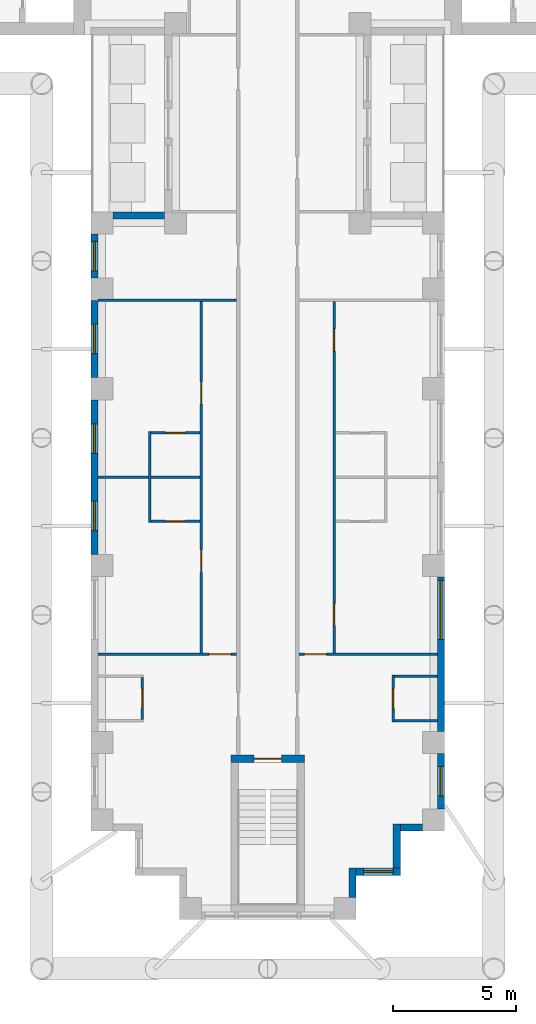
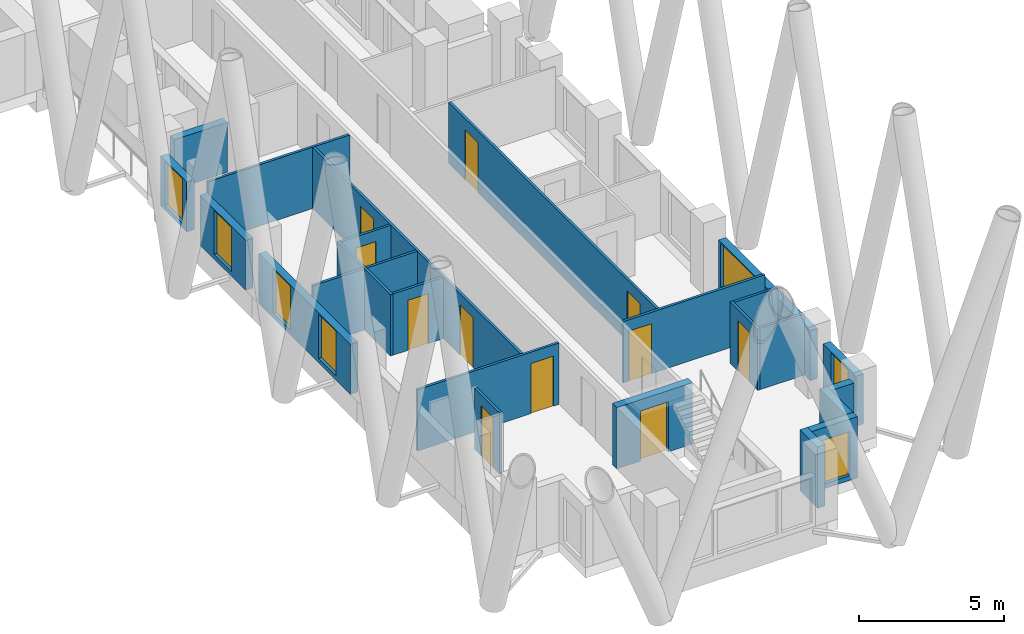
# One storey, part 4 of 16: 24 walls, 11 doors, 7 windows, 18 openings.
"""IFC4 building model written with IfcOpenShell, lengths in metres."""

from ifc_helpers import new_model, si_unit, direction, frame, frame_2d, origin, place, context, subcontext, project, spatial, rectangle, extrude, material, layer, layer_set, type_object, element, fill, save


model = new_model("IFC4")

# Units and contexts
model_context = context("Model", 3, precision=1e-05, world=origin(), true_north=direction((0.0, 1.0)))
body_context = subcontext(model_context, "Body", "Model", "MODEL_VIEW")
ifc_project = project(units=[si_unit("LENGTHUNIT", "METRE"), si_unit("AREAUNIT", "SQUARE_METRE"), si_unit("VOLUMEUNIT", "CUBIC_METRE"), si_unit("PLANEANGLEUNIT", "RADIAN"), si_unit("MASSUNIT", "GRAM", prefix="KILO")], contexts=[model_context])

# Site, building, storey
site_placement = place(None, origin())
site = spatial("IfcSite", under=ifc_project, at=site_placement, CompositionType="ELEMENT")
building_placement = place(site_placement, origin())
building = spatial("IfcBuilding", under=site, at=building_placement, Name="Fustian Cross Tower", CompositionType="ELEMENT")
storey_placement = place(building_placement, frame((0.0, 0.0, 44.699951171875)))
storey = spatial("IfcBuildingStorey", under=building, at=storey_placement, Name="L13", CompositionType="ELEMENT", Elevation=44.699951171875)

# Wall, opening, door
ifc_material_1 = material(Name="Plasterboard on steel stud", Category="steel")
ifc_layer_1 = layer(ifc_material_1, 0.10009765625)
ifc_layer_set_1 = layer_set([ifc_layer_1], Name="Plasterboard on steel stud")
wall_type_1 = type_object("IfcWallType", Name="PARTITION 100 STUD", PredefinedType="PARTITIONING", material=ifc_layer_set_1)
wall_1_placement = place(storey_placement, frame((-6.89990234375, -32.39990234375, 0.0), z_axis=(0.0, 0.0, 1.0), x_axis=(1.0, 0.0, 0.0)))
wall_1 = element("IfcWall", 1, at=wall_1_placement, inside=storey, type_object=wall_type_1, Name="Partition 20", PredefinedType="PARTITIONING", context=body_context, shape_type="SweptSolid", body=[
    extrude(rectangle(XDim=5.625, YDim=0.10009765625, at=frame_2d((2.8125, 0.0))), origin(), (0.0, 0.0, 1.0), 2.574951171875),
])
opening_1_placement = place(wall_1_placement, frame((4.5, 0.0, 0.0)))
opening_1 = element("IfcOpeningElement", 2, at=opening_1_placement, cuts=wall_1, Name="Opening D08063", PredefinedType="OPENING", context=body_context, shape_type="SweptSolid", body=[
    extrude(rectangle(XDim=0.89990234375, YDim=2.10009765625, at=frame_2d((0.449951171875, 1.050048828125))), frame((0.0, 0.06005859375, 0.0), z_axis=(0.0, -1.0, 0.0), x_axis=(1.0, 0.0, 0.0)), (0.0, 0.0, 1.0), 0.1201171875),
])
ifc_material_2 = material(Name="Painted timber", Category="wood")
door_type_1 = type_object("IfcDoorType", Name="SWING DOOR 900", OperationType="SINGLE_SWING_LEFT", PredefinedType="DOOR", material=ifc_material_2)
door_1_placement = place(opening_1_placement, origin())
door_1 = element("IfcDoor", 3, at=door_1_placement, inside=storey, type_object=door_type_1, Name="Door D08063", OperationType="SINGLE_SWING_LEFT", OverallHeight=2.10009765625, OverallWidth=0.89990234375, PredefinedType="DOOR", context=body_context, shape_type="SweptSolid", body=[
    extrude(rectangle(XDim=0.89990234375, YDim=2.10009765625, at=frame_2d((0.449951171875, 1.050048828125))), frame((0.0, 0.02490234375, 0.0), z_axis=(0.0, -1.0, 0.0), x_axis=(1.0, 0.0, 0.0)), (0.0, 0.0, 1.0), 0.050048828125),
])
fill(opening_1, door_1)

# Walls
wall_2_placement = place(storey_placement, frame((-6.89990234375, -25.199951171875, 0.0), z_axis=(0.0, 0.0, 1.0), x_axis=(1.0, 0.0, 0.0)))
element("IfcWall", 4, at=wall_2_placement, inside=storey, type_object=wall_type_1, Name="Partition 21", PredefinedType="PARTITIONING", context=body_context, shape_type="SweptSolid", body=[
    extrude(rectangle(XDim=4.14990234375, YDim=0.10009765625, at=frame_2d((2.074951171875, 0.0))), origin(), (0.0, 0.0, 1.0), 2.574951171875),
])
wall_3_placement = place(storey_placement, frame((-6.89990234375, -18.0, 0.0), z_axis=(0.0, 0.0, 1.0), x_axis=(1.0, 0.0, 0.0)))
element("IfcWall", 5, at=wall_3_placement, inside=storey, type_object=wall_type_1, Name="Partition 22", PredefinedType="PARTITIONING", context=body_context, shape_type="SweptSolid", body=[
    extrude(rectangle(XDim=5.625, YDim=0.10009765625, at=frame_2d((2.8125, 0.0))), origin(), (0.0, 0.0, 1.0), 2.574951171875),
])

# Wall, opening, door
wall_4_placement = place(storey_placement, frame((-5.10009765625, -35.050048828125, 0.0), z_axis=(0.0, 0.0, 1.0), x_axis=(0.0, 1.0, 0.0)))
wall_4 = element("IfcWall", 6, at=wall_4_placement, inside=storey, type_object=wall_type_1, Name="Partition 26", PredefinedType="PARTITIONING", context=body_context, shape_type="SweptSolid", body=[
    extrude(rectangle(XDim=1.699951171875, YDim=0.10009765625, at=frame_2d((0.85009765625, 0.0))), origin(), (0.0, 0.0, 1.0), 2.574951171875),
])
opening_2_placement = place(wall_4_placement, frame((0.449951171875, 0.0, 0.0)))
opening_2 = element("IfcOpeningElement", 7, at=opening_2_placement, cuts=wall_4, Name="Opening D08059", PredefinedType="OPENING", context=body_context, shape_type="SweptSolid", body=[
    extrude(rectangle(XDim=0.800048828125, YDim=2.10009765625, at=frame_2d((0.39990234375, 1.050048828125))), frame((0.0, 0.06005859375, 0.0), z_axis=(0.0, -1.0, 0.0), x_axis=(1.0, 0.0, 0.0)), (0.0, 0.0, 1.0), 0.1201171875),
])
ifc_material_3 = material(Name="Painted timber", Category="wood")
door_type_2 = type_object("IfcDoorType", Name="SWING DOOR 800", OperationType="SINGLE_SWING_LEFT", PredefinedType="DOOR", material=ifc_material_3)
door_2_placement = place(opening_2_placement, origin())
door_2 = element("IfcDoor", 8, at=door_2_placement, inside=storey, type_object=door_type_2, Name="Door D08059", OperationType="SINGLE_SWING_RIGHT", OverallHeight=2.10009765625, OverallWidth=0.800048828125, PredefinedType="DOOR", context=body_context, shape_type="SweptSolid", body=[
    extrude(rectangle(XDim=0.800048828125, YDim=2.10009765625, at=frame_2d((0.39990234375, 1.050048828125))), frame((0.0, 0.02490234375, 0.0), z_axis=(0.0, -1.0, 0.0), x_axis=(1.0, 0.0, 0.0)), (0.0, 0.0, 1.0), 0.050048828125),
])
fill(opening_2, door_2)

# Wall
wall_5_placement = place(storey_placement, frame((-4.800048828125, -27.050048828125, 0.0), z_axis=(0.0, 0.0, 1.0), x_axis=(0.0, 1.0, 0.0)))
element("IfcWall", 9, at=wall_5_placement, inside=storey, type_object=wall_type_1, Name="Partition 27", PredefinedType="PARTITIONING", context=body_context, shape_type="SweptSolid", body=[
    extrude(rectangle(XDim=3.699951171875, YDim=0.10009765625, at=frame_2d((1.85009765625, 0.0))), origin(), (0.0, 0.0, 1.0), 2.574951171875),
])

# Wall, opening, door
wall_6_placement = place(storey_placement, frame((-4.75, -27.0, 0.0), z_axis=(0.0, 0.0, 1.0), x_axis=(1.0, 0.0, 0.0)))
wall_6 = element("IfcWall", 10, at=wall_6_placement, inside=storey, type_object=wall_type_1, Name="Partition 28", PredefinedType="PARTITIONING", context=body_context, shape_type="SweptSolid", body=[
    extrude(rectangle(XDim=2.0, YDim=0.10009765625, at=frame_2d((1.0, 0.0))), origin(), (0.0, 0.0, 1.0), 2.574951171875),
])
opening_3_placement = place(wall_6_placement, frame((0.60009765625, 0.0, 0.0)))
opening_3 = element("IfcOpeningElement", 11, at=opening_3_placement, cuts=wall_6, Name="Opening D08065", PredefinedType="OPENING", context=body_context, shape_type="SweptSolid", body=[
    extrude(rectangle(XDim=0.800048828125, YDim=2.10009765625, at=frame_2d((0.39990234375, 1.050048828125))), frame((0.0, 0.06005859375, 0.0), z_axis=(0.0, -1.0, 0.0), x_axis=(1.0, 0.0, 0.0)), (0.0, 0.0, 1.0), 0.1201171875),
])
door_3_placement = place(opening_3_placement, origin())
door_3 = element("IfcDoor", 12, at=door_3_placement, inside=storey, type_object=door_type_2, Name="Door D08065", OperationType="SINGLE_SWING_LEFT", OverallHeight=2.10009765625, OverallWidth=0.800048828125, PredefinedType="DOOR", context=body_context, shape_type="SweptSolid", body=[
    extrude(rectangle(XDim=0.800048828125, YDim=2.10009765625, at=frame_2d((0.39990234375, 1.050048828125))), frame((0.0, 0.02490234375, 0.0), z_axis=(0.0, -1.0, 0.0), x_axis=(1.0, 0.0, 0.0)), (0.0, 0.0, 1.0), 0.050048828125),
])
fill(opening_3, door_3)

wall_7_placement = place(storey_placement, frame((-4.75, -23.39990234375, 0.0), z_axis=(0.0, 0.0, 1.0), x_axis=(1.0, 0.0, 0.0)))
wall_7 = element("IfcWall", 13, at=wall_7_placement, inside=storey, type_object=wall_type_1, Name="Partition 29", PredefinedType="PARTITIONING", context=body_context, shape_type="SweptSolid", body=[
    extrude(rectangle(XDim=2.0, YDim=0.10009765625, at=frame_2d((1.0, 0.0))), origin(), (0.0, 0.0, 1.0), 2.574951171875),
])
opening_4_placement = place(wall_7_placement, frame((0.60009765625, 0.0, 0.0)))
opening_4 = element("IfcOpeningElement", 14, at=opening_4_placement, cuts=wall_7, Name="Opening D08064", PredefinedType="OPENING", context=body_context, shape_type="SweptSolid", body=[
    extrude(rectangle(XDim=0.800048828125, YDim=2.10009765625, at=frame_2d((0.39990234375, 1.050048828125))), frame((0.0, 0.06005859375, 0.0), z_axis=(0.0, -1.0, 0.0), x_axis=(1.0, 0.0, 0.0)), (0.0, 0.0, 1.0), 0.1201171875),
])
door_4_placement = place(opening_4_placement, frame((0.800048828125, 0.0, 0.0), z_axis=(0.0, 0.0, 1.0), x_axis=(-1.0, 0.0, 0.0)))
door_4 = element("IfcDoor", 15, at=door_4_placement, inside=storey, type_object=door_type_2, Name="Door D08064", OperationType="SINGLE_SWING_RIGHT", OverallHeight=2.10009765625, OverallWidth=0.800048828125, PredefinedType="DOOR", context=body_context, shape_type="SweptSolid", body=[
    extrude(rectangle(XDim=0.800048828125, YDim=2.10009765625, at=frame_2d((0.39990234375, 1.050048828125))), frame((0.0, 0.02490234375, 0.0), z_axis=(0.0, -1.0, 0.0), x_axis=(1.0, 0.0, 0.0)), (0.0, 0.0, 1.0), 0.050048828125),
])
fill(opening_4, door_4)

# Wall, openings, doors
wall_8_placement = place(storey_placement, frame((-2.699951171875, -32.35009765625, 0.0), z_axis=(0.0, 0.0, 1.0), x_axis=(0.0, 1.0, 0.0)))
wall_8 = element("IfcWall", 16, at=wall_8_placement, inside=storey, type_object=wall_type_1, Name="Partition 41", PredefinedType="PARTITIONING", context=body_context, shape_type="SweptSolid", body=[
    extrude(rectangle(XDim=14.300048828125, YDim=0.10009765625, at=frame_2d((7.14990234375, 0.0))), origin(), (0.0, 0.0, 1.0), 2.574951171875),
])
opening_5_placement = place(wall_8_placement, frame((3.280029296875, 0.0, 0.0)))
opening_5 = element("IfcOpeningElement", 17, at=opening_5_placement, cuts=wall_8, Name="Opening D08061", PredefinedType="OPENING", context=body_context, shape_type="SweptSolid", body=[
    extrude(rectangle(XDim=0.89990234375, YDim=2.10009765625, at=frame_2d((0.449951171875, 1.050048828125))), frame((0.0, 0.06005859375, 0.0), z_axis=(0.0, -1.0, 0.0), x_axis=(1.0, 0.0, 0.0)), (0.0, 0.0, 1.0), 0.1201171875),
])
opening_6_placement = place(wall_8_placement, frame((10.119873046875, 0.0, 0.0)))
opening_6 = element("IfcOpeningElement", 18, at=opening_6_placement, cuts=wall_8, Name="Opening D08062", PredefinedType="OPENING", context=body_context, shape_type="SweptSolid", body=[
    extrude(rectangle(XDim=0.89990234375, YDim=2.10009765625, at=frame_2d((0.449951171875, 1.050048828125))), frame((0.0, 0.06005859375, 0.0), z_axis=(0.0, -1.0, 0.0), x_axis=(1.0, 0.0, 0.0)), (0.0, 0.0, 1.0), 0.1201171875),
])
door_5_placement = place(opening_5_placement, frame((0.89990234375, 0.0, 0.0), z_axis=(0.0, 0.0, 1.0), x_axis=(-1.0, 0.0, 0.0)))
door_5 = element("IfcDoor", 19, at=door_5_placement, inside=storey, type_object=door_type_1, Name="Door D08061", OperationType="SINGLE_SWING_RIGHT", OverallHeight=2.10009765625, OverallWidth=0.89990234375, PredefinedType="DOOR", context=body_context, shape_type="SweptSolid", body=[
    extrude(rectangle(XDim=0.89990234375, YDim=2.10009765625, at=frame_2d((0.449951171875, 1.050048828125))), frame((0.0, 0.02490234375, 0.0), z_axis=(0.0, -1.0, 0.0), x_axis=(1.0, 0.0, 0.0)), (0.0, 0.0, 1.0), 0.050048828125),
])
fill(opening_5, door_5)
door_6_placement = place(opening_6_placement, frame((0.89990234375, 0.0, 0.0), z_axis=(0.0, 0.0, 1.0), x_axis=(-1.0, 0.0, 0.0)))
door_6 = element("IfcDoor", 20, at=door_6_placement, inside=storey, type_object=door_type_1, Name="Door D08062", OperationType="SINGLE_SWING_LEFT", OverallHeight=2.10009765625, OverallWidth=0.89990234375, PredefinedType="DOOR", context=body_context, shape_type="SweptSolid", body=[
    extrude(rectangle(XDim=0.89990234375, YDim=2.10009765625, at=frame_2d((0.449951171875, 1.050048828125))), frame((0.0, 0.02490234375, 0.0), z_axis=(0.0, -1.0, 0.0), x_axis=(1.0, 0.0, 0.0)), (0.0, 0.0, 1.0), 0.050048828125),
])
fill(opening_6, door_6)

# Wall, opening, door
wall_9_placement = place(storey_placement, frame((1.27490234375, -32.39990234375, 0.0), z_axis=(0.0, 0.0, 1.0), x_axis=(1.0, 0.0, 0.0)))
wall_9 = element("IfcWall", 21, at=wall_9_placement, inside=storey, type_object=wall_type_1, Name="Partition 45", PredefinedType="PARTITIONING", context=body_context, shape_type="SweptSolid", body=[
    extrude(rectangle(XDim=5.625, YDim=0.10009765625, at=frame_2d((2.8125, 0.0))), origin(), (0.0, 0.0, 1.0), 2.574951171875),
])
opening_7_placement = place(wall_9_placement, frame((0.22509765625, 0.0, 0.0)))
opening_7 = element("IfcOpeningElement", 22, at=opening_7_placement, cuts=wall_9, Name="Opening D08052", PredefinedType="OPENING", context=body_context, shape_type="SweptSolid", body=[
    extrude(rectangle(XDim=0.89990234375, YDim=2.10009765625, at=frame_2d((0.449951171875, 1.050048828125))), frame((0.0, 0.06005859375, 0.0), z_axis=(0.0, -1.0, 0.0), x_axis=(1.0, 0.0, 0.0)), (0.0, 0.0, 1.0), 0.1201171875),
])
door_7_placement = place(opening_7_placement, origin())
door_7 = element("IfcDoor", 23, at=door_7_placement, inside=storey, type_object=door_type_1, Name="Door D08052", OperationType="SINGLE_SWING_LEFT", OverallHeight=2.10009765625, OverallWidth=0.89990234375, PredefinedType="DOOR", context=body_context, shape_type="SweptSolid", body=[
    extrude(rectangle(XDim=0.89990234375, YDim=2.10009765625, at=frame_2d((0.449951171875, 1.050048828125))), frame((0.0, 0.02490234375, 0.0), z_axis=(0.0, -1.0, 0.0), x_axis=(1.0, 0.0, 0.0)), (0.0, 0.0, 1.0), 0.050048828125),
])
fill(opening_7, door_7)

# Wall, openings, doors
wall_10_placement = place(storey_placement, frame((2.699951171875, -32.35009765625, 0.0), z_axis=(0.0, 0.0, 1.0), x_axis=(0.0, 1.0, 0.0)))
wall_10 = element("IfcWall", 24, at=wall_10_placement, inside=storey, type_object=wall_type_1, Name="Partition 59", PredefinedType="PARTITIONING", context=body_context, shape_type="SweptSolid", body=[
    extrude(rectangle(XDim=14.300048828125, YDim=0.10009765625, at=frame_2d((7.14990234375, 0.0))), origin(), (0.0, 0.0, 1.0), 2.574951171875),
])
opening_8_placement = place(wall_10_placement, frame((1.1201171875, 0.0, 0.0)))
opening_8 = element("IfcOpeningElement", 25, at=opening_8_placement, cuts=wall_10, Name="Opening D08053", PredefinedType="OPENING", context=body_context, shape_type="SweptSolid", body=[
    extrude(rectangle(XDim=0.89990234375, YDim=2.10009765625, at=frame_2d((0.449951171875, 1.050048828125))), frame((0.0, 0.06005859375, 0.0), z_axis=(0.0, -1.0, 0.0), x_axis=(1.0, 0.0, 0.0)), (0.0, 0.0, 1.0), 0.1201171875),
])
opening_9_placement = place(wall_10_placement, frame((12.280029296875, 0.0, 0.0)))
opening_9 = element("IfcOpeningElement", 26, at=opening_9_placement, cuts=wall_10, Name="Opening D08054", PredefinedType="OPENING", context=body_context, shape_type="SweptSolid", body=[
    extrude(rectangle(XDim=0.89990234375, YDim=2.10009765625, at=frame_2d((0.449951171875, 1.050048828125))), frame((0.0, 0.06005859375, 0.0), z_axis=(0.0, -1.0, 0.0), x_axis=(1.0, 0.0, 0.0)), (0.0, 0.0, 1.0), 0.1201171875),
])
door_8_placement = place(opening_8_placement, origin())
door_8 = element("IfcDoor", 27, at=door_8_placement, inside=storey, type_object=door_type_1, Name="Door D08053", OperationType="SINGLE_SWING_LEFT", OverallHeight=2.10009765625, OverallWidth=0.89990234375, PredefinedType="DOOR", context=body_context, shape_type="SweptSolid", body=[
    extrude(rectangle(XDim=0.89990234375, YDim=2.10009765625, at=frame_2d((0.449951171875, 1.050048828125))), frame((0.0, 0.02490234375, 0.0), z_axis=(0.0, -1.0, 0.0), x_axis=(1.0, 0.0, 0.0)), (0.0, 0.0, 1.0), 0.050048828125),
])
fill(opening_8, door_8)
door_9_placement = place(opening_9_placement, origin())
door_9 = element("IfcDoor", 28, at=door_9_placement, inside=storey, type_object=door_type_1, Name="Door D08054", OperationType="SINGLE_SWING_RIGHT", OverallHeight=2.10009765625, OverallWidth=0.89990234375, PredefinedType="DOOR", context=body_context, shape_type="SweptSolid", body=[
    extrude(rectangle(XDim=0.89990234375, YDim=2.10009765625, at=frame_2d((0.449951171875, 1.050048828125))), frame((0.0, 0.02490234375, 0.0), z_axis=(0.0, -1.0, 0.0), x_axis=(1.0, 0.0, 0.0)), (0.0, 0.0, 1.0), 0.050048828125),
])
fill(opening_9, door_9)

# Wall, opening, door
wall_11_placement = place(storey_placement, frame((5.10009765625, -35.14990234375, 0.0), z_axis=(0.0, 0.0, 1.0), x_axis=(0.0, 1.0, 0.0)))
wall_11 = element("IfcWall", 29, at=wall_11_placement, inside=storey, type_object=wall_type_1, Name="Partition 70", PredefinedType="PARTITIONING", context=body_context, shape_type="SweptSolid", body=[
    extrude(rectangle(XDim=1.89990234375, YDim=0.10009765625, at=frame_2d((0.949951171875, 0.0))), origin(), (0.0, 0.0, 1.0), 2.574951171875),
])
opening_10_placement = place(wall_11_placement, frame((0.550048828125, 0.0, 0.0)))
opening_10 = element("IfcOpeningElement", 30, at=opening_10_placement, cuts=wall_11, Name="Opening D08050", PredefinedType="OPENING", context=body_context, shape_type="SweptSolid", body=[
    extrude(rectangle(XDim=0.800048828125, YDim=2.10009765625, at=frame_2d((0.39990234375, 1.050048828125))), frame((0.0, 0.06005859375, 0.0), z_axis=(0.0, -1.0, 0.0), x_axis=(1.0, 0.0, 0.0)), (0.0, 0.0, 1.0), 0.1201171875),
])
door_10_placement = place(opening_10_placement, frame((0.800048828125, 0.0, 0.0), z_axis=(0.0, 0.0, 1.0), x_axis=(-1.0, 0.0, 0.0)))
door_10 = element("IfcDoor", 31, at=door_10_placement, inside=storey, type_object=door_type_2, Name="Door D08050", OperationType="SINGLE_SWING_LEFT", OverallHeight=2.10009765625, OverallWidth=0.800048828125, PredefinedType="DOOR", context=body_context, shape_type="SweptSolid", body=[
    extrude(rectangle(XDim=0.800048828125, YDim=2.10009765625, at=frame_2d((0.39990234375, 1.050048828125))), frame((0.0, 0.02490234375, 0.0), z_axis=(0.0, -1.0, 0.0), x_axis=(1.0, 0.0, 0.0)), (0.0, 0.0, 1.0), 0.050048828125),
])
fill(opening_10, door_10)

# Walls
for number, where, z_axis, x_axis, name in (
    (32, (5.14990234375, -35.10009765625, 0.0), (0.0, 0.0, 1.0), (1.0, 0.0, 0.0), "Partition 71"),
    (33, (5.14990234375, -33.300048828125, 0.0), (0.0, 0.0, 1.0), (1.0, 0.0, 0.0), "Partition 72"),
):
    element("IfcWall", number, at=place(storey_placement, frame(where, z_axis=z_axis, x_axis=x_axis)), inside=storey, type_object=wall_type_1, Name=name, PredefinedType="PARTITIONING", context=body_context, shape_type="SweptSolid", body=[
        extrude(rectangle(XDim=1.75, YDim=0.10009765625, at=frame_2d((0.875, 0.0))), origin(), (0.0, 0.0, 1.0), 2.574951171875),
    ])

# Wall, opening, door
ifc_material_4 = material(Name="Concrete C50/60", Category="concrete")
ifc_layer_2 = layer(ifc_material_4, 0.300048828125)
ifc_layer_set_2 = layer_set([ifc_layer_2], Name="Concrete C50/60")
wall_type_2 = type_object("IfcWallType", Name="STAIR ENCLOSURE WALL 300 C50/60", PredefinedType="SHEAR", material=ifc_layer_set_2)
wall_12_placement = place(storey_placement, frame((-1.5, -36.64990234375, 0.0), z_axis=(0.0, 0.0, 1.0), x_axis=(1.0, 0.0, 0.0)))
wall_12 = element("IfcWall", 34, at=wall_12_placement, inside=storey, type_object=wall_type_2, Name="Stair enclosure wall", PredefinedType="SHEAR", context=body_context, shape_type="SweptSolid", body=[
    extrude(rectangle(XDim=3.0, YDim=0.300048828125, at=frame_2d((1.5, 0.0))), origin(), (0.0, 0.0, 1.0), 2.574951171875),
])
opening_11_placement = place(wall_12_placement, frame((0.949951171875, 0.0, 0.0)))
opening_11 = element("IfcOpeningElement", 35, at=opening_11_placement, cuts=wall_12, Name="Opening CD-05-32", PredefinedType="OPENING", context=body_context, shape_type="SweptSolid", body=[
    extrude(rectangle(XDim=1.10009765625, YDim=2.10009765625, at=frame_2d((0.550048828125, 1.050048828125))), frame((0.0, 0.159912109375, 0.0), z_axis=(0.0, -1.0, 0.0), x_axis=(1.0, 0.0, 0.0)), (0.0, 0.0, 1.0), 0.320068359375),
])
ifc_material_5 = material(Name="Steel", Category="steel")
door_type_3 = type_object("IfcDoorType", Name="FIRE DOOR FD60S 1100X2100", OperationType="SINGLE_SWING_LEFT", PredefinedType="DOOR", material=ifc_material_5)
door_11_placement = place(opening_11_placement, frame((1.10009765625, 0.0, 0.0), z_axis=(0.0, 0.0, 1.0), x_axis=(-1.0, 0.0, 0.0)))
door_11 = element("IfcDoor", 36, at=door_11_placement, inside=storey, type_object=door_type_3, Name="Core door CD-05-32", OperationType="SINGLE_SWING_RIGHT", OverallHeight=2.10009765625, OverallWidth=1.10009765625, PredefinedType="DOOR", context=body_context, shape_type="SweptSolid", body=[
    extrude(rectangle(XDim=1.10009765625, YDim=2.10009765625, at=frame_2d((0.550048828125, 1.050048828125))), frame((0.0, 0.02490234375, 0.0), z_axis=(0.0, -1.0, 0.0), x_axis=(1.0, 0.0, 0.0)), (0.0, 0.0, 1.0), 0.050048828125),
])
fill(opening_11, door_11)

# Wall
ifc_material_6 = material(Name="Dark aluminium cladding on insulated backing wall", Category="aluminium")
ifc_layer_3 = layer(ifc_material_6, 0.300048828125)
ifc_layer_set_3 = layer_set([ifc_layer_3], Name="Dark aluminium cladding on insulated backing wall")
wall_type_3 = type_object("IfcWallType", Name="XW1 EXTERNAL WALL 300", PredefinedType="SOLIDWALL", material=ifc_layer_set_3)
wall_13_placement = place(storey_placement, frame((-4.199951171875, -14.550048828125, 0.0), z_axis=(0.0, 0.0, 1.0), x_axis=(-1.0, 0.0, 0.0)))
element("IfcWall", 37, at=wall_13_placement, inside=storey, type_object=wall_type_3, Name="External wall", PredefinedType="SOLIDWALL", context=body_context, shape_type="SweptSolid", body=[
    extrude(rectangle(XDim=2.10009765625, YDim=0.300048828125, at=frame_2d((1.050048828125, 0.0))), origin(), (0.0, 0.0, 1.0), 2.10009765625),
])

# Wall, opening, window
wall_14_placement = place(storey_placement, frame((-7.050048828125, -15.300048828125, 0.0), z_axis=(0.0, 0.0, 1.0), x_axis=(0.0, -1.0, 0.0)))
wall_14 = element("IfcWall", 38, at=wall_14_placement, inside=storey, type_object=wall_type_3, Name="External wall", PredefinedType="SOLIDWALL", context=body_context, shape_type="SweptSolid", body=[
    extrude(rectangle(XDim=1.800048828125, YDim=0.300048828125, at=frame_2d((0.89990234375, 0.0))), origin(), (0.0, 0.0, 1.0), 2.10009765625),
])
opening_12_placement = place(wall_14_placement, frame((0.300048828125, 0.0, 0.199951171875)))
opening_12 = element("IfcOpeningElement", 39, at=opening_12_placement, cuts=wall_14, Name="Opening WN3", PredefinedType="OPENING", context=body_context, shape_type="SweptSolid", body=[
    extrude(rectangle(XDim=1.199951171875, YDim=1.85009765625, at=frame_2d((0.60009765625, 0.925048828125))), frame((0.0, 0.159912109375, 0.0), z_axis=(0.0, -1.0, 0.0), x_axis=(1.0, 0.0, 0.0)), (0.0, 0.0, 1.0), 0.320068359375),
])
ifc_material_7 = material(Name="Dark anodised aluminium and double glazing", Category="aluminium")
window_type_1 = type_object("IfcWindowType", Name="WN3 WINDOW 1200X1850", PartitioningType="SINGLE_PANEL", PredefinedType="WINDOW", material=ifc_material_7)
window_1_placement = place(opening_12_placement, origin())
window_1 = element("IfcWindow", 40, at=window_1_placement, inside=storey, type_object=window_type_1, Name="Window", OverallHeight=1.85009765625, OverallWidth=1.199951171875, PartitioningType="SINGLE_PANEL", PredefinedType="WINDOW", context=body_context, shape_type="SweptSolid", body=[
    extrude(rectangle(XDim=1.199951171875, YDim=1.85009765625, at=frame_2d((0.60009765625, 0.925048828125))), frame((0.0, 0.030029296875, 0.0), z_axis=(0.0, -1.0, 0.0), x_axis=(1.0, 0.0, 0.0)), (0.0, 0.0, 1.0), 0.06005859375),
])
fill(opening_12, window_1)

wall_15_placement = place(storey_placement, frame((-7.050048828125, -18.0, 0.0), z_axis=(0.0, 0.0, 1.0), x_axis=(0.0, -1.0, 0.0)))
wall_15 = element("IfcWall", 41, at=wall_15_placement, inside=storey, type_object=wall_type_3, Name="External wall", PredefinedType="SOLIDWALL", context=body_context, shape_type="SweptSolid", body=[
    extrude(rectangle(XDim=3.14990234375, YDim=0.300048828125, at=frame_2d((1.574951171875, 0.0))), origin(), (0.0, 0.0, 1.0), 2.10009765625),
])
opening_13_placement = place(wall_15_placement, frame((0.97509765625, 0.0, 0.199951171875)))
opening_13 = element("IfcOpeningElement", 42, at=opening_13_placement, cuts=wall_15, Name="Opening WN3", PredefinedType="OPENING", context=body_context, shape_type="SweptSolid", body=[
    extrude(rectangle(XDim=1.199951171875, YDim=1.85009765625, at=frame_2d((0.60009765625, 0.925048828125))), frame((0.0, 0.159912109375, 0.0), z_axis=(0.0, -1.0, 0.0), x_axis=(1.0, 0.0, 0.0)), (0.0, 0.0, 1.0), 0.320068359375),
])
window_2_placement = place(opening_13_placement, origin())
window_2 = element("IfcWindow", 43, at=window_2_placement, inside=storey, type_object=window_type_1, Name="Window", OverallHeight=1.85009765625, OverallWidth=1.199951171875, PartitioningType="SINGLE_PANEL", PredefinedType="WINDOW", context=body_context, shape_type="SweptSolid", body=[
    extrude(rectangle(XDim=1.199951171875, YDim=1.85009765625, at=frame_2d((0.60009765625, 0.925048828125))), frame((0.0, 0.030029296875, 0.0), z_axis=(0.0, -1.0, 0.0), x_axis=(1.0, 0.0, 0.0)), (0.0, 0.0, 1.0), 0.06005859375),
])
fill(opening_13, window_2)

# Wall, openings, windows
wall_16_placement = place(storey_placement, frame((-7.050048828125, -22.050048828125, 0.0), z_axis=(0.0, 0.0, 1.0), x_axis=(0.0, -1.0, 0.0)))
wall_16 = element("IfcWall", 44, at=wall_16_placement, inside=storey, type_object=wall_type_3, Name="External wall", PredefinedType="SOLIDWALL", context=body_context, shape_type="SweptSolid", body=[
    extrude(rectangle(XDim=6.300048828125, YDim=0.300048828125, at=frame_2d((3.14990234375, 0.0))), origin(), (0.0, 0.0, 1.0), 2.10009765625),
])
opening_14_placement = place(wall_16_placement, frame((0.97509765625, 0.0, 0.199951171875)))
opening_14 = element("IfcOpeningElement", 45, at=opening_14_placement, cuts=wall_16, Name="Opening WN3", PredefinedType="OPENING", context=body_context, shape_type="SweptSolid", body=[
    extrude(rectangle(XDim=1.199951171875, YDim=1.85009765625, at=frame_2d((0.60009765625, 0.925048828125))), frame((0.0, 0.159912109375, 0.0), z_axis=(0.0, -1.0, 0.0), x_axis=(1.0, 0.0, 0.0)), (0.0, 0.0, 1.0), 0.320068359375),
])
opening_15_placement = place(wall_16_placement, frame((4.125, 0.0, 0.199951171875)))
opening_15 = element("IfcOpeningElement", 46, at=opening_15_placement, cuts=wall_16, Name="Opening WN3", PredefinedType="OPENING", context=body_context, shape_type="SweptSolid", body=[
    extrude(rectangle(XDim=1.199951171875, YDim=1.85009765625, at=frame_2d((0.60009765625, 0.925048828125))), frame((0.0, 0.159912109375, 0.0), z_axis=(0.0, -1.0, 0.0), x_axis=(1.0, 0.0, 0.0)), (0.0, 0.0, 1.0), 0.320068359375),
])
window_3_placement = place(opening_14_placement, origin())
window_3 = element("IfcWindow", 47, at=window_3_placement, inside=storey, type_object=window_type_1, Name="Window", OverallHeight=1.85009765625, OverallWidth=1.199951171875, PartitioningType="SINGLE_PANEL", PredefinedType="WINDOW", context=body_context, shape_type="SweptSolid", body=[
    extrude(rectangle(XDim=1.199951171875, YDim=1.85009765625, at=frame_2d((0.60009765625, 0.925048828125))), frame((0.0, 0.030029296875, 0.0), z_axis=(0.0, -1.0, 0.0), x_axis=(1.0, 0.0, 0.0)), (0.0, 0.0, 1.0), 0.06005859375),
])
fill(opening_14, window_3)
window_4_placement = place(opening_15_placement, origin())
window_4 = element("IfcWindow", 48, at=window_4_placement, inside=storey, type_object=window_type_1, Name="Window", OverallHeight=1.85009765625, OverallWidth=1.199951171875, PartitioningType="SINGLE_PANEL", PredefinedType="WINDOW", context=body_context, shape_type="SweptSolid", body=[
    extrude(rectangle(XDim=1.199951171875, YDim=1.85009765625, at=frame_2d((0.60009765625, 0.925048828125))), frame((0.0, 0.030029296875, 0.0), z_axis=(0.0, -1.0, 0.0), x_axis=(1.0, 0.0, 0.0)), (0.0, 0.0, 1.0), 0.06005859375),
])
fill(opening_15, window_4)

# Wall
wall_17_placement = place(storey_placement, frame((3.449951171875, -42.300048828125, 0.0), z_axis=(0.0, 0.0, 1.0), x_axis=(0.0, 1.0, 0.0)))
element("IfcWall", 49, at=wall_17_placement, inside=storey, type_object=wall_type_3, Name="External wall", PredefinedType="SOLIDWALL", context=body_context, shape_type="SweptSolid", body=[
    extrude(rectangle(XDim=1.199951171875, YDim=0.300048828125, at=frame_2d((0.60009765625, 0.0))), origin(), (0.0, 0.0, 1.0), 2.574951171875),
])

# Wall, opening, window
wall_18_placement = place(storey_placement, frame((3.60009765625, -41.25, 0.0), z_axis=(0.0, 0.0, 1.0), x_axis=(1.0, 0.0, 0.0)))
wall_18 = element("IfcWall", 50, at=wall_18_placement, inside=storey, type_object=wall_type_3, Name="External wall", PredefinedType="SOLIDWALL", context=body_context, shape_type="SweptSolid", body=[
    extrude(rectangle(XDim=1.7998046875, YDim=0.300048828125, at=frame_2d((0.89990234375, 0.0))), origin(), (0.0, 0.0, 1.0), 2.574951171875),
])
opening_16_placement = place(wall_18_placement, frame((0.300048828125, 0.0, 0.199951171875)))
opening_16 = element("IfcOpeningElement", 51, at=opening_16_placement, cuts=wall_18, Name="Opening WN3", PredefinedType="OPENING", context=body_context, shape_type="SweptSolid", body=[
    extrude(rectangle(XDim=1.199951171875, YDim=1.85009765625, at=frame_2d((0.60009765625, 0.925048828125))), frame((0.0, 0.159912109375, 0.0), z_axis=(0.0, -1.0, 0.0), x_axis=(1.0, 0.0, 0.0)), (0.0, 0.0, 1.0), 0.320068359375),
])
window_5_placement = place(opening_16_placement, origin())
window_5 = element("IfcWindow", 52, at=window_5_placement, inside=storey, type_object=window_type_1, Name="Window", OverallHeight=1.85009765625, OverallWidth=1.199951171875, PartitioningType="SINGLE_PANEL", PredefinedType="WINDOW", context=body_context, shape_type="SweptSolid", body=[
    extrude(rectangle(XDim=1.199951171875, YDim=1.85009765625, at=frame_2d((0.60009765625, 0.925048828125))), frame((0.0, 0.030029296875, 0.0), z_axis=(0.0, -1.0, 0.0), x_axis=(1.0, 0.0, 0.0)), (0.0, 0.0, 1.0), 0.06005859375),
])
fill(opening_16, window_5)

# Walls
wall_19_placement = place(storey_placement, frame((5.25, -41.10009765625, 0.0), z_axis=(0.0, 0.0, 1.0), x_axis=(0.0, 1.0, 0.0)))
element("IfcWall", 53, at=wall_19_placement, inside=storey, type_object=wall_type_3, Name="External wall", PredefinedType="SOLIDWALL", context=body_context, shape_type="SweptSolid", body=[
    extrude(rectangle(XDim=1.800048828125, YDim=0.300048828125, at=frame_2d((0.89990234375, 0.0))), origin(), (0.0, 0.0, 1.0), 2.574951171875),
])
wall_20_placement = place(storey_placement, frame((5.39990234375, -39.449951171875, 0.0), z_axis=(0.0, 0.0, 1.0), x_axis=(1.0, 0.0, 0.0)))
element("IfcWall", 54, at=wall_20_placement, inside=storey, type_object=wall_type_3, Name="External wall", PredefinedType="SOLIDWALL", context=body_context, shape_type="SweptSolid", body=[
    extrude(rectangle(XDim=0.900146484375, YDim=0.300048828125, at=frame_2d((0.4501953125, 0.0))), origin(), (0.0, 0.0, 1.0), 2.574951171875),
])

# Wall, opening, window
wall_21_placement = place(storey_placement, frame((7.050048828125, -38.699951171875, 0.0), z_axis=(0.0, 0.0, 1.0), x_axis=(0.0, 1.0, 0.0)))
wall_21 = element("IfcWall", 55, at=wall_21_placement, inside=storey, type_object=wall_type_3, Name="External wall", PredefinedType="SOLIDWALL", context=body_context, shape_type="SweptSolid", body=[
    extrude(rectangle(XDim=2.25, YDim=0.300048828125, at=frame_2d((1.125, 0.0))), origin(), (0.0, 0.0, 1.0), 2.10009765625),
])
opening_17_placement = place(wall_21_placement, frame((0.52490234375, 0.0, 0.199951171875)))
opening_17 = element("IfcOpeningElement", 56, at=opening_17_placement, cuts=wall_21, Name="Opening WN3", PredefinedType="OPENING", context=body_context, shape_type="SweptSolid", body=[
    extrude(rectangle(XDim=1.199951171875, YDim=1.85009765625, at=frame_2d((0.60009765625, 0.925048828125))), frame((0.0, 0.159912109375, 0.0), z_axis=(0.0, -1.0, 0.0), x_axis=(1.0, 0.0, 0.0)), (0.0, 0.0, 1.0), 0.320068359375),
])
window_6_placement = place(opening_17_placement, origin())
window_6 = element("IfcWindow", 57, at=window_6_placement, inside=storey, type_object=window_type_1, Name="Window", OverallHeight=1.85009765625, OverallWidth=1.199951171875, PartitioningType="SINGLE_PANEL", PredefinedType="WINDOW", context=body_context, shape_type="SweptSolid", body=[
    extrude(rectangle(XDim=1.199951171875, YDim=1.85009765625, at=frame_2d((0.60009765625, 0.925048828125))), frame((0.0, 0.030029296875, 0.0), z_axis=(0.0, -1.0, 0.0), x_axis=(1.0, 0.0, 0.0)), (0.0, 0.0, 1.0), 0.06005859375),
])
fill(opening_17, window_6)

wall_22_placement = place(storey_placement, frame((7.050048828125, -35.550048828125, 0.0), z_axis=(0.0, 0.0, 1.0), x_axis=(0.0, 1.0, 0.0)))
wall_22 = element("IfcWall", 58, at=wall_22_placement, inside=storey, type_object=wall_type_3, Name="External wall", PredefinedType="SOLIDWALL", context=body_context, shape_type="SweptSolid", body=[
    extrude(rectangle(XDim=6.300048828125, YDim=0.300048828125, at=frame_2d((3.14990234375, 0.0))), origin(), (0.0, 0.0, 1.0), 2.10009765625),
])
opening_18_placement = place(wall_22_placement, frame((3.75, 0.0, 0.199951171875)))
opening_18 = element("IfcOpeningElement", 59, at=opening_18_placement, cuts=wall_22, Name="Opening WN1", PredefinedType="OPENING", context=body_context, shape_type="SweptSolid", body=[
    extrude(rectangle(XDim=2.39990234375, YDim=1.85009765625, at=frame_2d((1.199951171875, 0.925048828125))), frame((0.0, 0.159912109375, 0.0), z_axis=(0.0, -1.0, 0.0), x_axis=(1.0, 0.0, 0.0)), (0.0, 0.0, 1.0), 0.320068359375),
])
ifc_material_8 = material(Name="Dark anodised aluminium and double glazing", Category="aluminium")
window_type_2 = type_object("IfcWindowType", Name="WN1 WINDOW 2400X1850", PartitioningType="SINGLE_PANEL", PredefinedType="WINDOW", material=ifc_material_8)
window_7_placement = place(opening_18_placement, origin())
window_7 = element("IfcWindow", 60, at=window_7_placement, inside=storey, type_object=window_type_2, Name="Window", OverallHeight=1.85009765625, OverallWidth=2.39990234375, PartitioningType="SINGLE_PANEL", PredefinedType="WINDOW", context=body_context, shape_type="SweptSolid", body=[
    extrude(rectangle(XDim=2.39990234375, YDim=1.85009765625, at=frame_2d((1.199951171875, 0.925048828125))), frame((0.0, 0.030029296875, 0.0), z_axis=(0.0, -1.0, 0.0), x_axis=(1.0, 0.0, 0.0)), (0.0, 0.0, 1.0), 0.06005859375),
])
fill(opening_18, window_7)

save(model, "model.ifc")
